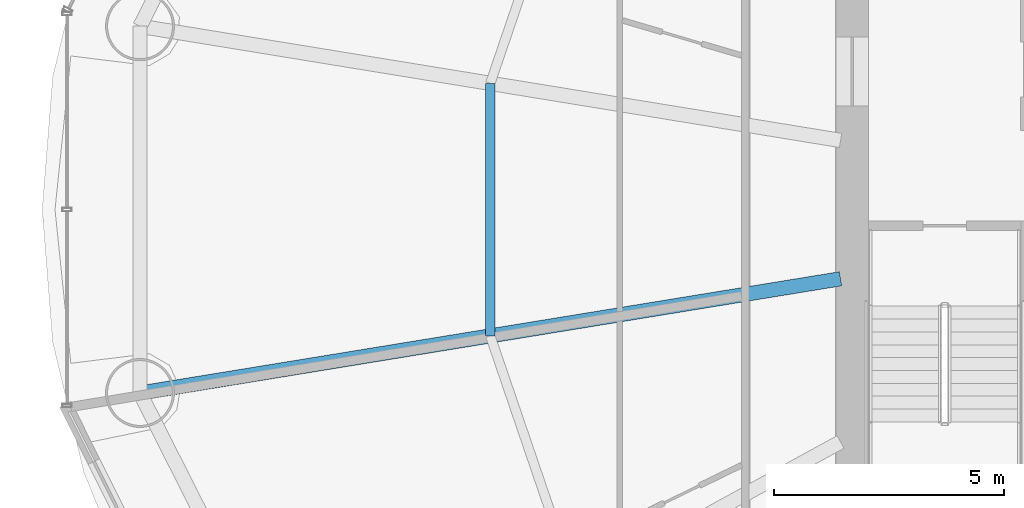
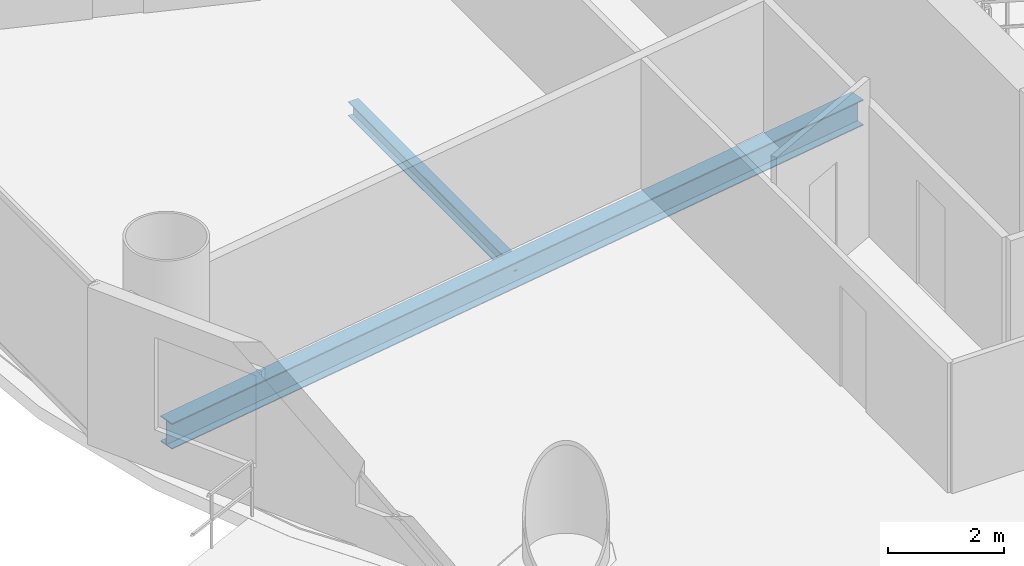
# One storey, part 8 of 29: 2 beams.
"""IFC4 building model written with IfcOpenShell, lengths in metres."""

from ifc_helpers import new_model, si_unit, direction, frame, origin, origin_2d, place, context, subcontext, project, spatial, i_section, extrude, material, material_profile, profile_set, type_object, element, save


model = new_model("IFC4")

# Units and contexts
model_context = context("Model", 3, precision=1e-05, world=origin(), true_north=direction((-0.2419218956, 0.970295726276)))
body_context = subcontext(model_context, "Body", "Model", "MODEL_VIEW")
ifc_project = project(units=[si_unit("LENGTHUNIT", "METRE"), si_unit("AREAUNIT", "SQUARE_METRE"), si_unit("VOLUMEUNIT", "CUBIC_METRE"), si_unit("PLANEANGLEUNIT", "RADIAN"), si_unit("MASSUNIT", "GRAM", prefix="KILO")], contexts=[model_context])

# Site, building, storey
site_placement = place(None, origin())
site = spatial("IfcSite", under=ifc_project, at=site_placement, CompositionType="ELEMENT")
building_placement = place(site_placement, origin())
building = spatial("IfcBuilding", under=site, at=building_placement, Name="Cobrevalo Terracotta Tower", CompositionType="ELEMENT")
storey_placement = place(building_placement, frame((0.0, 0.0, 83.39990234375)))
storey = spatial("IfcBuildingStorey", under=building, at=storey_placement, Name="L21", CompositionType="ELEMENT", Elevation=83.39990234375)

# Beams
ifc_material = material(Name="Steel S355", Category="steel")
ifc_material_profile_1 = material_profile(ifc_material, i_section(OverallWidth=0.31201171875, OverallDepth=0.54296875, WebThickness=0.0126953125, FlangeThickness=0.020263671875, at=origin_2d()), Name="W 530x150")
ifc_profile_set_1 = profile_set([ifc_material_profile_1], Name="Steel S355")
beam_type_1 = type_object("IfcBeamType", Name="Structural Beam W 530x150 (Steel S355)", PredefinedType="BEAM", material=ifc_profile_set_1)
beam_1_placement = place(storey_placement, frame((13.529296875, 22.810302734375, -0.54638671875), z_axis=(0.986968056587, 0.160916298977, 0.0), x_axis=(-0.160916298977, 0.986968056587, 0.0)))
element("IfcBeam", 1, at=beam_1_placement, inside=storey, type_object=beam_type_1, Name="L21 radial floor girder 09", PredefinedType="BEAM", context=body_context, shape_type="SweptSolid", body=[
    extrude(i_section(OverallWidth=0.31201171875, OverallDepth=0.54296875, WebThickness=0.0126953125, FlangeThickness=0.020263671875, at=origin_2d()), origin(), (0.0, 0.0, 1.0), 15.44189453125),
])
ifc_material_profile_2 = material_profile(ifc_material, i_section(OverallWidth=0.2041015625, OverallDepth=0.305908203125, WebThickness=0.008544921875, FlangeThickness=0.0146484375, at=origin_2d()), Name="W 310x67")
ifc_profile_set_2 = profile_set([ifc_material_profile_2], Name="Steel S355")
beam_type_2 = type_object("IfcBeamType", Name="Structural Joist W 310x67 (Steel S355)", PredefinedType="JOIST", material=ifc_profile_set_2)
beam_2_placement = place(storey_placement, frame((21.149658203125, 29.547119140625, -0.427978515625), z_axis=(0.0, -1.0, 0.0), x_axis=(1.0, 0.0, 0.0)))
element("IfcBeam", 2, at=beam_2_placement, inside=storey, type_object=beam_type_2, Name="L21 circumferential secondary floor joist 08", PredefinedType="JOIST", context=body_context, shape_type="SweptSolid", body=[
    extrude(i_section(OverallWidth=0.2041015625, OverallDepth=0.305908203125, WebThickness=0.008544921875, FlangeThickness=0.0146484375, at=origin_2d()), origin(), (0.0, 0.0, 1.0), 5.494384765625),
])

save(model, "model.ifc")
